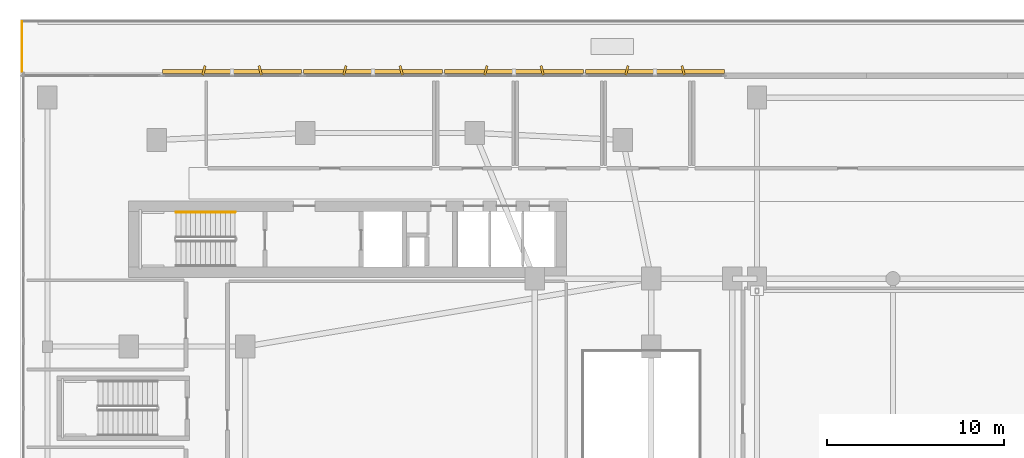
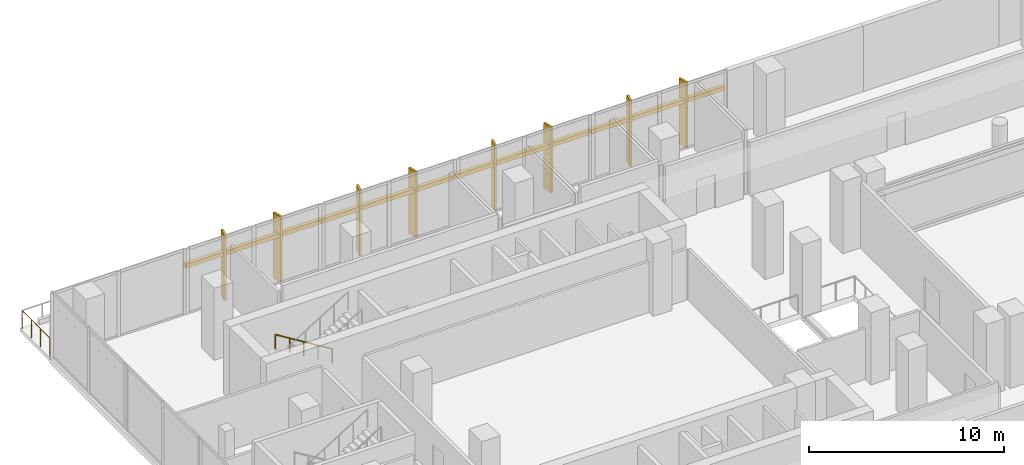
# One storey, part 26 of 31: 12 shading devices, 2 railings.
"""IFC4 building model written with IfcOpenShell, lengths in metres."""

from ifc_helpers import new_model, si_unit, derived_unit, direction, frame, origin, origin_2d, place, context, subcontext, project, spatial, rectangle, circle, extrude, material, type_object, element, save


model = new_model("IFC4")

# Units and contexts
model_context = context("Model", 3, precision=1e-05, world=origin(), true_north=direction((0.0, 1.0)))
body_context = subcontext(model_context, "Body", "Model", "MODEL_VIEW")
ifc_project = project(units=[si_unit("LENGTHUNIT", "METRE"), si_unit("AREAUNIT", "SQUARE_METRE"), si_unit("VOLUMEUNIT", "CUBIC_METRE"), si_unit("PLANEANGLEUNIT", "RADIAN"), si_unit("MASSUNIT", "GRAM", prefix="KILO"), derived_unit("THERMALTRANSMITTANCEUNIT", [(si_unit("POWERUNIT", "WATT"), 1), (si_unit("LENGTHUNIT", "METRE"), -2), (si_unit("THERMODYNAMICTEMPERATUREUNIT", "KELVIN"), -1)])], contexts=[model_context])

# Site, building, storey
site_placement = place(None, origin())
site = spatial("IfcSite", under=ifc_project, at=site_placement, CompositionType="ELEMENT")
building_placement = place(site_placement, origin())
building = spatial("IfcBuilding", under=site, at=building_placement, Name="Kivonza Crest Hotel", CompositionType="ELEMENT")
storey_placement = place(building_placement, frame((0.0, 0.0, 15.0)))
storey = spatial("IfcBuildingStorey", under=building, at=storey_placement, Name="L03", CompositionType="ELEMENT", Elevation=15.0)

# Railings
ifc_material_1 = material(Name="Brushed stainless steel handrail", Category="steel")
railing_type_1 = type_object("IfcRailingType", Name="RL-HAND-900", PredefinedType="HANDRAIL", material=ifc_material_1)
railing_1_placement = place(storey_placement, frame((12.239990234375, 36.110107421875, 0.173095703125)))
element("IfcRailing", 1, at=railing_1_placement, inside=storey, type_object=railing_type_1, Name="L03 ST-T1-N stair handrail 1", PredefinedType="HANDRAIL", context=body_context, shape_type="SweptSolid", body=[
    extrude(circle(Radius=0.02392578125, at=origin_2d()), frame((0.0, 0.0, 0.8759765625), z_axis=(-0.850623216509, 0.0, 0.525775754039), x_axis=(0.0, -1.0, 0.0)), (0.0, 0.0, 1.0), 3.9501953125),
    extrude(circle(Radius=0.02099609375, at=origin_2d()), origin(), (0.0, 0.0, 1.0), 0.851806640625),
    extrude(circle(Radius=0.02099609375, at=origin_2d()), frame((-0.840087890625, 0.0, 0.519287109375)), (0.0, 0.0, 1.0), 0.851806640625),
    extrude(circle(Radius=0.02099609375, at=origin_2d()), frame((-1.68017578125, 0.0, 1.03857421875)), (0.0, 0.0, 1.0), 0.851806640625),
    extrude(circle(Radius=0.02099609375, at=origin_2d()), frame((-2.52001953125, 0.0, 1.5576171875)), (0.0, 0.0, 1.0), 0.851806640625),
    extrude(circle(Radius=0.02099609375, at=origin_2d()), frame((-3.360107421875, 0.0, 2.076904296875)), (0.0, 0.0, 1.0), 0.851806640625),
])
ifc_material_2 = material(Name="Laminated glass and stainless steel balustrade", Category="steel")
railing_type_2 = type_object("IfcRailingType", Name="RL-TERR-1150", PredefinedType="BALUSTRADE", material=ifc_material_2)
railing_2_placement = place(storey_placement, frame((0.159912109375, 44.080078125, 0.0)))
element("IfcRailing", 2, at=railing_2_placement, inside=storey, type_object=railing_type_2, Name="L03 POD-L03-T2 perimeter safety balustrade 1", PredefinedType="BALUSTRADE", context=body_context, shape_type="SweptSolid", body=[
    extrude(circle(Radius=0.02392578125, at=origin_2d()), frame((0.0, 0.0, 1.1259765625), z_axis=(0.0, 1.0, 0.0), x_axis=(-1.0, 0.0, 0.0)), (0.0, 0.0, 1.0), 2.83984375),
    extrude(circle(Radius=0.02099609375, at=origin_2d()), origin(), (0.0, 0.0, 1.0), 1.101806640625),
    extrude(circle(Radius=0.02099609375, at=origin_2d()), frame((0.0, 0.946533203125, 0.0)), (0.0, 0.0, 1.0), 1.101806640625),
    extrude(circle(Radius=0.02099609375, at=origin_2d()), frame((0.0, 1.893310546875, 0.0)), (0.0, 0.0, 1.0), 1.101806640625),
    extrude(circle(Radius=0.02099609375, at=origin_2d()), frame((0.0, 2.83984375, 0.0)), (0.0, 0.0, 1.0), 1.101806640625),
])

# Shading devices
ifc_material_3 = material(Name="Kiln-fired Nairobi red-ochre terracotta", Category="masonry")
shading_device_type_1 = type_object("IfcShadingDeviceType", Name="SH-BAGUETTE-300", PredefinedType="USERDEFINED", material=ifc_material_3)
shading_device_1_placement = place(storey_placement, frame((36.02001953125, 44.080078125, 2.740234375), z_axis=(0.0, 0.0, 1.0), x_axis=(-1.0, 0.0, 0.0)))
element("IfcShadingDevice", 3, at=shading_device_1_placement, inside=storey, type_object=shading_device_type_1, Name="L03 terracotta baguette screen CW-POD-L03-25", ObjectType="BAGUETTE", PredefinedType="USERDEFINED", context=body_context, shape_type="SweptSolid", body=[
    extrude(rectangle(XDim=7.865966796875, YDim=0.219970703125, at=origin_2d()), origin(), (0.0, 0.0, 1.0), 0.260009765625),
])
for number, where, z_axis, x_axis, name in (
    (4, (28.033935546875, 44.080078125, 2.740234375), (0.0, 0.0, 1.0), (-1.0, 0.0, 0.0), "L03 terracotta baguette screen CW-POD-L03-26"),
    (5, (20.047119140625, 44.080078125, 2.740234375), (0.0, 0.0, 1.0), (-1.0, 0.0, 0.0), "L03 terracotta baguette screen CW-POD-L03-27"),
):
    element("IfcShadingDevice", number, at=place(storey_placement, frame(where, z_axis=z_axis, x_axis=x_axis)), inside=storey, type_object=shading_device_type_1, Name=name, ObjectType="BAGUETTE", PredefinedType="USERDEFINED", context=body_context, shape_type="SweptSolid", body=[
        extrude(rectangle(XDim=7.866943359375, YDim=0.219970703125, at=origin_2d()), origin(), (0.0, 0.0, 1.0), 0.260009765625),
    ])
shading_device_2_placement = place(storey_placement, frame((12.06005859375, 44.080078125, 2.740234375), z_axis=(0.0, 0.0, 1.0), x_axis=(-1.0, 0.0, 0.0)))
element("IfcShadingDevice", 6, at=shading_device_2_placement, inside=storey, type_object=shading_device_type_1, Name="L03 terracotta baguette screen CW-POD-L03-28", ObjectType="BAGUETTE", PredefinedType="USERDEFINED", context=body_context, shape_type="SweptSolid", body=[
    extrude(rectangle(XDim=7.865966796875, YDim=0.219970703125, at=origin_2d()), origin(), (0.0, 0.0, 1.0), 0.260009765625),
])
ifc_material_4 = material(Name="Kiln-fired terracotta over extruded aluminium spine", Category="masonry")
shading_device_type_2 = type_object("IfcShadingDeviceType", Name="SH-FIN-550", PredefinedType="USERDEFINED", material=ifc_material_4)
for number, where, z_axis, x_axis, name in (
    (7, (37.616943359375, 44.139892578125, 0.0), (0.0, 0.0, 1.0), (-0.970295726276, -0.2419218956, 0.0), "L03 vertical solar shading fin CW-POD-L03-25-1"),
    (8, (34.423095703125, 44.139892578125, 0.0), (0.0, 0.0, 1.0), (-0.970295726276, 0.2419218956, 0.0), "L03 vertical solar shading fin CW-POD-L03-25-2"),
    (9, (29.631103515625, 44.139892578125, 0.0), (0.0, 0.0, 1.0), (-0.970295726276, -0.2419218956, 0.0), "L03 vertical solar shading fin CW-POD-L03-26-1"),
    (10, (26.43603515625, 44.139892578125, 0.0), (0.0, 0.0, 1.0), (-0.970295726276, 0.2419218956, 0.0), "L03 vertical solar shading fin CW-POD-L03-26-2"),
    (11, (21.64404296875, 44.139892578125, 0.0), (0.0, 0.0, 1.0), (-0.970295726276, -0.2419218956, 0.0), "L03 vertical solar shading fin CW-POD-L03-27-1"),
    (12, (18.448974609375, 44.139892578125, 0.0), (0.0, 0.0, 1.0), (-0.970295726276, 0.2419218956, 0.0), "L03 vertical solar shading fin CW-POD-L03-27-2"),
    (13, (13.656982421875, 44.139892578125, 0.0), (0.0, 0.0, 1.0), (-0.970295726276, -0.2419218956, 0.0), "L03 vertical solar shading fin CW-POD-L03-28-1"),
    (14, (10.462890625, 44.139892578125, 0.0), (0.0, 0.0, 1.0), (-0.970295726276, 0.2419218956, 0.0), "L03 vertical solar shading fin CW-POD-L03-28-2"),
):
    element("IfcShadingDevice", number, at=place(storey_placement, frame(where, z_axis=z_axis, x_axis=x_axis)), inside=storey, type_object=shading_device_type_2, Name=name, ObjectType="FIN", PredefinedType="USERDEFINED", context=body_context, shape_type="SweptSolid", body=[
        extrude(rectangle(XDim=0.1201171875, YDim=0.550048828125, at=origin_2d()), origin(), (0.0, 0.0, 1.0), 4.10009765625),
    ])

save(model, "model.ifc")
